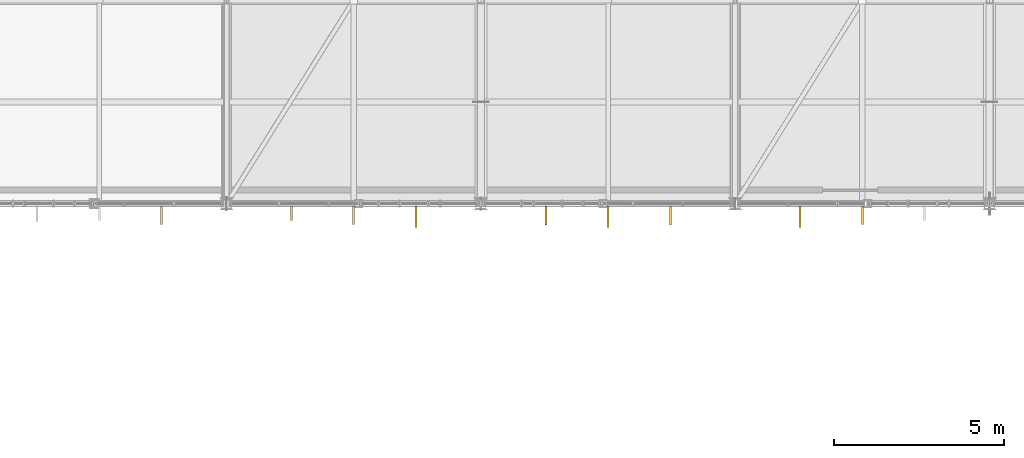
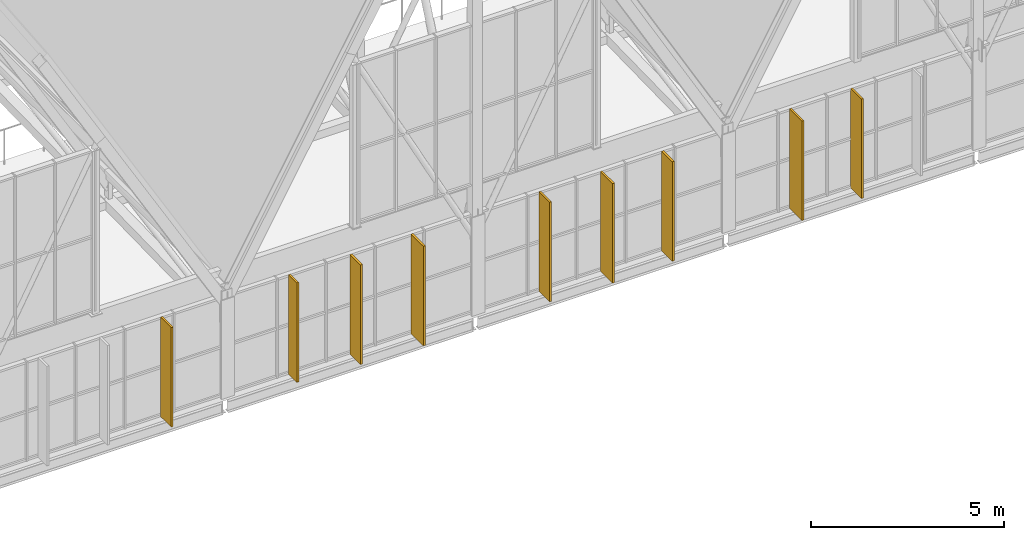
# One storey, part 319 of 324: 9 coverings.
"""IFC4 building model written with IfcOpenShell, lengths in metres."""

import ifcopenshell
import ifcopenshell.guid

model = None  # the IFC model being written
_history = None  # IfcOwnerHistory: only IFC2X3 demands one
_inside = {}  # id of a spatial element -> (the spatial element, [elements in it])
_under = {}  # id of a project, library or spatial element -> (it, [spatial elements below it])
_declared = {}  # id of a project -> (the project, [libraries it declares])
_typed = {}  # id of a type object -> (the type object, [elements of that type])
_made_of = {}  # id of a material, layer set ... -> (it, [elements and type objects made of it])


def new_model(schema):
    """Start an empty IFC model of exactly this schema.

    Asked for "IFC4X3", IfcOpenShell would pick the latest addendum, in which some entities
    have other attributes; the version numbers below select the first issue.
    IFC2X3 requires an IfcOwnerHistory on every rooted entity: one is made here for all.
    """
    global model, _history
    if schema == "IFC4X3":
        model = ifcopenshell.file(schema_version=(4, 3, 0, 0))
    else:
        model = ifcopenshell.file(schema=schema)
    _inside.clear()
    _under.clear()
    _declared.clear()
    _typed.clear()
    _made_of.clear()
    _history = None
    if model.schema == "IFC2X3":
        org = make("IfcOrganization", Name="unknown")
        user = make(
            "IfcPersonAndOrganization",
            ThePerson=make("IfcPerson", FamilyName="unknown"),
            TheOrganization=org,
        )
        app = make(
            "IfcApplication",
            ApplicationDeveloper=org,
            Version="unknown",
            ApplicationFullName="unknown",
            ApplicationIdentifier="unknown",
        )
        _history = make(
            "IfcOwnerHistory",
            OwningUser=user,
            OwningApplication=app,
            ChangeAction="ADDED",
            CreationDate=0,
        )
    return model


def make(cls, **values):
    """One entity of the class cls with the attributes given. An attribute that is None is left unset."""
    return model.create_entity(
        cls, **{name: value for name, value in values.items() if value is not None}
    )


def rooted(cls, **values):
    """An entity with a GlobalId (a new one), such as an element, a storey or a relation."""
    return make(cls, GlobalId=ifcopenshell.guid.new(), OwnerHistory=_history, **values)


def si_unit(unit_type, name, prefix=None):
    """IfcSIUnit, for example si_unit("LENGTHUNIT", "METRE", prefix="MILLI")."""
    return make("IfcSIUnit", UnitType=unit_type, Prefix=prefix, Name=name)


def assignment(units):
    """IfcUnitAssignment: the units of a project."""
    return None if units is None else make("IfcUnitAssignment", Units=units)


def point(xyz):
    """IfcCartesianPoint."""
    return None if xyz is None else make("IfcCartesianPoint", Coordinates=xyz)


def direction(xyz):
    """IfcDirection."""
    return None if xyz is None else make("IfcDirection", DirectionRatios=xyz)


def frame(location, z_axis=None, x_axis=None):
    """IfcAxis2Placement3D, a coordinate frame: its origin and axes. An axis left out is left unset."""
    return make(
        "IfcAxis2Placement3D",
        Location=point(location),
        Axis=direction(z_axis),
        RefDirection=direction(x_axis),
    )


def frame_2d(location, x_axis=None):
    """IfcAxis2Placement2D, a coordinate frame in the plane: its origin and x axis."""
    return make(
        "IfcAxis2Placement2D", Location=point(location), RefDirection=direction(x_axis)
    )


def origin():
    """The frame at (0, 0, 0) with its axes left unset."""
    return frame((0.0, 0.0, 0.0))


def origin_2d():
    """The frame at (0, 0) in the plane with its x axis left unset."""
    return frame_2d((0.0, 0.0))


def place(relative_to, where):
    """IfcLocalPlacement: puts the frame where relative to a parent placement (None: the world)."""
    return make(
        "IfcLocalPlacement", PlacementRelTo=relative_to, RelativePlacement=where
    )


def context(
    kind, dimensions, precision=None, world=None, true_north=None, identifier=None
):
    """IfcGeometricRepresentationContext, for example the 3D "Model" context."""
    return make(
        "IfcGeometricRepresentationContext",
        ContextIdentifier=identifier,
        ContextType=kind,
        CoordinateSpaceDimension=dimensions,
        Precision=precision,
        WorldCoordinateSystem=world,
        TrueNorth=true_north,
    )


def subcontext(parent, identifier, kind, view, scale=None):
    """IfcGeometricRepresentationSubContext, for example "Body" below "Model"."""
    return make(
        "IfcGeometricRepresentationSubContext",
        ContextIdentifier=identifier,
        ContextType=kind,
        ParentContext=parent,
        TargetScale=scale,
        TargetView=view,
    )


def project(units=None, contexts=None):
    """IfcProject with its units and contexts."""
    return rooted(
        "IfcProject",
        Name="project",
        RepresentationContexts=contexts,
        UnitsInContext=assignment(units),
    )


def spatial(cls, under=None, at=None, **own):
    """A site, building, storey or space (cls), placed at a placement, below another one or the project."""
    s = rooted(cls, ObjectPlacement=at, **own)
    if under is not None:
        _under.setdefault(under.id(), (under, []))[1].append(s)
    return s


def profile(cls, at=None, kind="AREA", **sizes):
    """A parametric profile (cls). Its sizes go by their IFC names, for example OverallWidth=200.0."""
    return make(cls, ProfileType=kind, Position=at, **sizes)


def rectangle(**sizes):
    """IfcRectangleProfileDef."""
    return profile("IfcRectangleProfileDef", **sizes)


def extrude(swept, where, along, depth):
    """IfcExtrudedAreaSolid: the profile swept, set in the frame where, extruded along a direction by depth."""
    return make(
        "IfcExtrudedAreaSolid",
        SweptArea=swept,
        Position=where,
        ExtrudedDirection=direction(along),
        Depth=depth,
    )


def shape(context_of_items, identifier, shape_type, items):
    """IfcShapeRepresentation: the items that make up one representation, for example the "Body"."""
    return make(
        "IfcShapeRepresentation",
        ContextOfItems=context_of_items,
        RepresentationIdentifier=identifier,
        RepresentationType=shape_type,
        Items=items,
    )


def material(Name=None, Category=None):
    """IfcMaterial."""
    return make("IfcMaterial", Name=Name, Category=Category)


def layer(
    of_material, thickness, ventilated=None, Name=None, Category=None, Priority=None
):
    """IfcMaterialLayer: one layer of a wall or slab, of a material (None: an air gap)."""
    return make(
        "IfcMaterialLayer",
        Material=of_material,
        LayerThickness=thickness,
        IsVentilated=ventilated,
        Name=Name,
        Category=Category,
        Priority=Priority,
    )


def layer_set(layers, Name=None):
    """IfcMaterialLayerSet."""
    return make("IfcMaterialLayerSet", MaterialLayers=layers, LayerSetName=Name)


def made_of(thing, what):
    """Note that an element or type object is made of a material, layer set ...; save() writes the relation."""
    if what is not None:
        _made_of.setdefault(what.id(), (what, []))[1].append(thing)
    return thing


def type_object(cls, material=None, **own):
    """A type object (cls), such as IfcWallType, which elements share."""
    return made_of(rooted(cls, **own), material)


def element(
    cls,
    number,
    at=None,
    inside=None,
    cuts=None,
    type_object=None,
    material=None,
    context=None,
    identifier="Body",
    shape_type=None,
    held_by="IfcProductDefinitionShape",
    body=None,
    shapes=None,
    **own,
):
    """One element of the class cls, such as IfcWall. Its Tag is "e" and its number.

    at: its placement. inside: the storey or other place that contains it. cuts: it is an
    opening in that element (IfcRelVoidsElement). A single representation is given by context,
    identifier, shape_type and body (its items); several are given by shapes. held_by: the class
    of the entity that holds the representations. save() writes the other relations.
    """
    e = rooted(cls, Tag="e%d" % number, ObjectPlacement=at, **own)
    if body is not None:
        shapes = [shape(context, identifier, shape_type, body)]
    if shapes is not None:
        e.Representation = make(held_by, Representations=shapes)
    if inside is not None:
        _inside.setdefault(inside.id(), (inside, []))[1].append(e)
    if cuts is not None:
        rooted(
            "IfcRelVoidsElement", RelatingBuildingElement=cuts, RelatedOpeningElement=e
        )
    if type_object is not None:
        _typed.setdefault(type_object.id(), (type_object, []))[1].append(e)
    return made_of(e, material)


def aggregate(whole, parts):
    """IfcRelAggregates: a whole, such as a stair, and the parts it consists of."""
    return rooted("IfcRelAggregates", RelatingObject=whole, RelatedObjects=parts)


def save(model, path):
    """Write the relations noted so far, then the file.

    IfcRelAggregates (storeys below a building ...), IfcRelContainedInSpatialStructure (elements
    in a storey), IfcRelDefinesByType, IfcRelAssociatesMaterial and IfcRelDeclares: one each for
    every whole, place, type object, material and project.
    """
    for whole, parts in _under.values():
        aggregate(whole, parts)
    for where, things in _inside.values():
        rooted(
            "IfcRelContainedInSpatialStructure",
            RelatedElements=things,
            RelatingStructure=where,
        )
    for kind, things in _typed.values():
        rooted("IfcRelDefinesByType", RelatedObjects=things, RelatingType=kind)
    for what, things in _made_of.values():
        rooted("IfcRelAssociatesMaterial", RelatedObjects=things, RelatingMaterial=what)
    for by, libraries in _declared.values():
        rooted("IfcRelDeclares", RelatingContext=by, RelatedDefinitions=libraries)
    model.write(path)


model = new_model("IFC4")

# Units and contexts
model_context = context("Model", 3, precision=1e-05, world=origin(), true_north=direction((0.0, 1.0)))
body_context = subcontext(model_context, "Body", "Model", "MODEL_VIEW")
ifc_project = project(units=[si_unit("LENGTHUNIT", "METRE"), si_unit("AREAUNIT", "SQUARE_METRE"), si_unit("VOLUMEUNIT", "CUBIC_METRE"), si_unit("PLANEANGLEUNIT", "RADIAN"), si_unit("MASSUNIT", "GRAM", prefix="KILO")], contexts=[model_context])

# Site, building, storey
site_placement = place(None, origin())
site = spatial("IfcSite", under=ifc_project, at=site_placement, CompositionType="ELEMENT")
building_placement = place(site_placement, origin())
building = spatial("IfcBuilding", under=site, at=building_placement, Name="Solvenia Promenade Tram Depot", CompositionType="ELEMENT")
storey_placement = place(building_placement, frame((0.0, 0.0, 4.5)))
storey = spatial("IfcBuildingStorey", under=building, at=storey_placement, Name="L01", CompositionType="ELEMENT", Elevation=4.5)

# Coverings
ifc_material = material(Name="Anodized aluminium AW-6063 T6", Category="aluminium")
ifc_layer = layer(ifc_material, 0.06005859375, Name="Anodized aluminium AW-6063 T6", Category="aluminium")
ifc_layer_set = layer_set([ifc_layer], Name="Anodized aluminium AW-6063 T6")
covering_type = type_object("IfcCoveringType", Name="Fin-Param-560", PredefinedType="CLADDING", material=ifc_layer_set)
covering_1_placement = place(storey_placement, frame((58.0849609375, 65.658935546875, 0.0), z_axis=(0.0, 0.0, 1.0), x_axis=(1.0, 0.0, 0.0)))
element("IfcCovering", 1, at=covering_1_placement, inside=storey, type_object=covering_type, Name="Parametric Vertical Brise-Soleil Fin 109", PredefinedType="CLADDING", context=body_context, shape_type="SweptSolid", body=[
    extrude(rectangle(XDim=0.06005859375, YDim=0.552001953125, at=origin_2d()), origin(), (0.0, 0.0, 1.0), 3.14990234375),
])
covering_2_placement = place(storey_placement, frame((61.9150390625, 65.718994140625, 0.0), z_axis=(0.0, 0.0, 1.0), x_axis=(1.0, 0.0, 0.0)))
element("IfcCovering", 2, at=covering_2_placement, inside=storey, type_object=covering_type, Name="Parametric Vertical Brise-Soleil Fin 113", PredefinedType="CLADDING", context=body_context, shape_type="SweptSolid", body=[
    extrude(rectangle(XDim=0.06005859375, YDim=0.431884765625, at=origin_2d()), origin(), (0.0, 0.0, 1.0), 3.14990234375),
])
covering_3_placement = place(storey_placement, frame((63.75, 65.657958984375, 0.0), z_axis=(0.0, 0.0, 1.0), x_axis=(1.0, 0.0, 0.0)))
element("IfcCovering", 3, at=covering_3_placement, inside=storey, type_object=covering_type, Name="Parametric Vertical Brise-Soleil Fin 114", PredefinedType="CLADDING", context=body_context, shape_type="SweptSolid", body=[
    extrude(rectangle(XDim=0.06005859375, YDim=0.553955078125, at=origin_2d()), origin(), (0.0, 0.0, 1.0), 3.14990234375),
])
covering_4_placement = place(storey_placement, frame((65.5849609375, 65.614990234375, 0.0), z_axis=(0.0, 0.0, 1.0), x_axis=(1.0, 0.0, 0.0)))
element("IfcCovering", 4, at=covering_4_placement, inside=storey, type_object=covering_type, Name="Parametric Vertical Brise-Soleil Fin 115", PredefinedType="CLADDING", context=body_context, shape_type="SweptSolid", body=[
    extrude(rectangle(XDim=0.06005859375, YDim=0.639892578125, at=origin_2d()), origin(), (0.0, 0.0, 1.0), 3.14990234375),
])
covering_5_placement = place(storey_placement, frame((69.4150390625, 65.656982421875, 0.0), z_axis=(0.0, 0.0, 1.0), x_axis=(1.0, 0.0, 0.0)))
element("IfcCovering", 5, at=covering_5_placement, inside=storey, type_object=covering_type, Name="Parametric Vertical Brise-Soleil Fin 119", PredefinedType="CLADDING", context=body_context, shape_type="SweptSolid", body=[
    extrude(rectangle(XDim=0.06005859375, YDim=0.555908203125, at=origin_2d()), origin(), (0.0, 0.0, 1.0), 3.14990234375),
])
covering_6_placement = place(storey_placement, frame((71.25, 65.614990234375, 0.0), z_axis=(0.0, 0.0, 1.0), x_axis=(1.0, 0.0, 0.0)))
element("IfcCovering", 6, at=covering_6_placement, inside=storey, type_object=covering_type, Name="Parametric Vertical Brise-Soleil Fin 120", PredefinedType="CLADDING", context=body_context, shape_type="SweptSolid", body=[
    extrude(rectangle(XDim=0.06005859375, YDim=0.639892578125, at=origin_2d()), origin(), (0.0, 0.0, 1.0), 3.14990234375),
])
covering_7_placement = place(storey_placement, frame((73.0849609375, 65.656982421875, 0.0), z_axis=(0.0, 0.0, 1.0), x_axis=(1.0, 0.0, 0.0)))
element("IfcCovering", 7, at=covering_7_placement, inside=storey, type_object=covering_type, Name="Parametric Vertical Brise-Soleil Fin 121", PredefinedType="CLADDING", context=body_context, shape_type="SweptSolid", body=[
    extrude(rectangle(XDim=0.06005859375, YDim=0.555908203125, at=origin_2d()), origin(), (0.0, 0.0, 1.0), 3.14990234375),
])
covering_8_placement = place(storey_placement, frame((76.9150390625, 65.614990234375, 0.0), z_axis=(0.0, 0.0, 1.0), x_axis=(1.0, 0.0, 0.0)))
element("IfcCovering", 8, at=covering_8_placement, inside=storey, type_object=covering_type, Name="Parametric Vertical Brise-Soleil Fin 125", PredefinedType="CLADDING", context=body_context, shape_type="SweptSolid", body=[
    extrude(rectangle(XDim=0.06005859375, YDim=0.639892578125, at=origin_2d()), origin(), (0.0, 0.0, 1.0), 3.14990234375),
])
covering_9_placement = place(storey_placement, frame((78.75, 65.657958984375, 0.0), z_axis=(0.0, 0.0, 1.0), x_axis=(1.0, 0.0, 0.0)))
element("IfcCovering", 9, at=covering_9_placement, inside=storey, type_object=covering_type, Name="Parametric Vertical Brise-Soleil Fin 126", PredefinedType="CLADDING", context=body_context, shape_type="SweptSolid", body=[
    extrude(rectangle(XDim=0.06005859375, YDim=0.553955078125, at=origin_2d()), origin(), (0.0, 0.0, 1.0), 3.14990234375),
])

save(model, "model.ifc")
